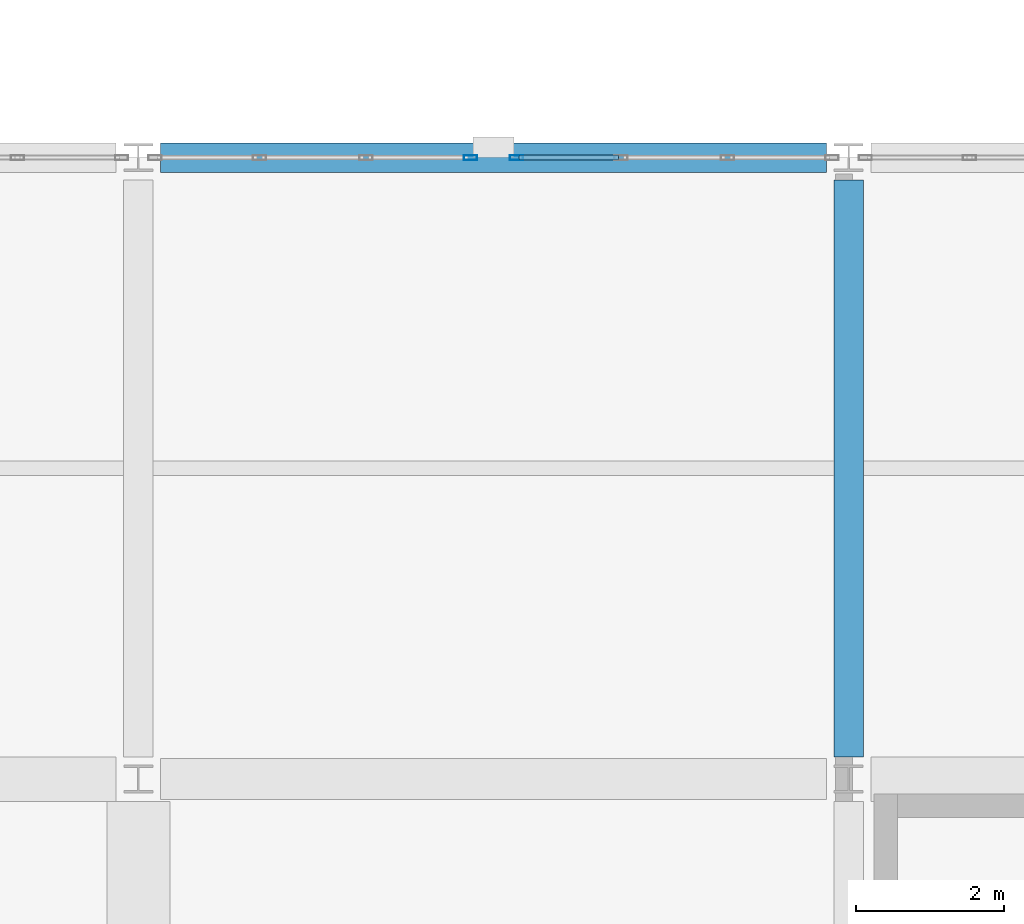
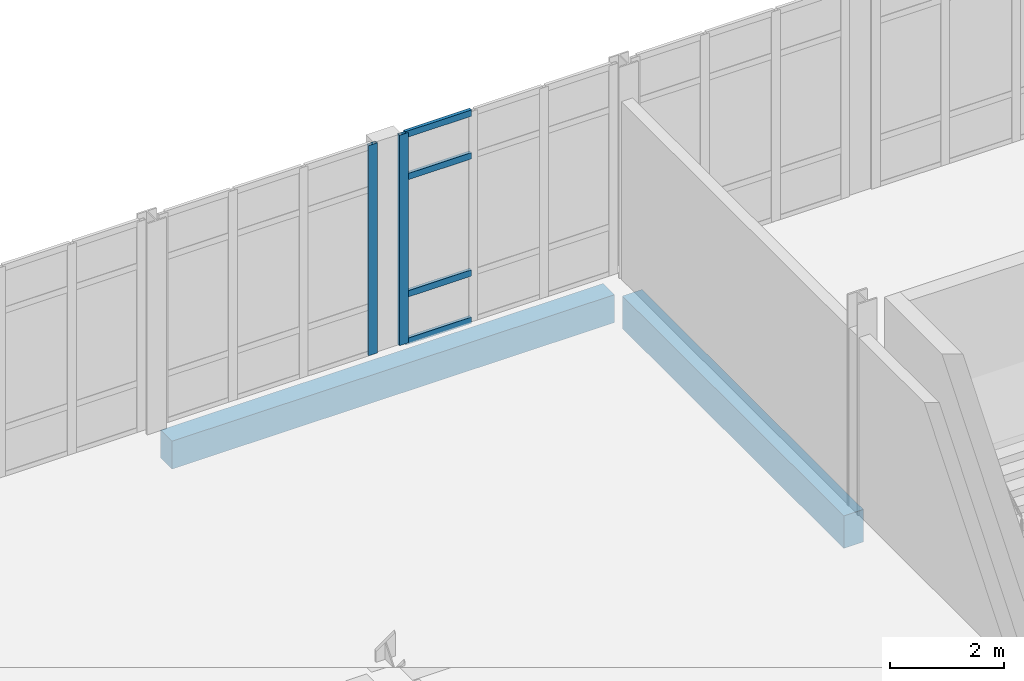
# One storey, part 19 of 102: 6 members, 2 beams, 2 elements without a shape of their own.
"""IFC4 building model written with IfcOpenShell, lengths in metres."""

from ifc_helpers import new_model, si_unit, direction, frame, origin, origin_2d, place, context, subcontext, project, spatial, rectangle, hollow_rectangle, extrude, material, layer, layer_set, material_profile, profile_set, type_object, element, aggregate, save


model = new_model("IFC4")

# Units and contexts
model_context = context("Model", 3, precision=1e-05, world=origin(), true_north=direction((0.0, 1.0)))
body_context = subcontext(model_context, "Body", "Model", "MODEL_VIEW")
ifc_project = project(units=[si_unit("LENGTHUNIT", "METRE"), si_unit("AREAUNIT", "SQUARE_METRE"), si_unit("VOLUMEUNIT", "CUBIC_METRE"), si_unit("PLANEANGLEUNIT", "RADIAN"), si_unit("MASSUNIT", "GRAM", prefix="KILO")], contexts=[model_context])

# Site, building, storey
site_placement = place(None, origin())
site = spatial("IfcSite", under=ifc_project, at=site_placement, CompositionType="ELEMENT")
building_placement = place(site_placement, origin())
building = spatial("IfcBuilding", under=site, at=building_placement, Name="Lornevale Opera House", CompositionType="ELEMENT")
storey_placement = place(building_placement, frame((0.0, 0.0, 5.39990234375)))
storey = spatial("IfcBuildingStorey", under=building, at=storey_placement, Name="L02", CompositionType="ELEMENT", Elevation=5.39990234375)

# Beams
ifc_material_1 = material(Name="Concrete 35 MPa (CSA A23.1 N)", Category="concrete")
ifc_material_profile_1 = material_profile(ifc_material_1, rectangle(XDim=0.39990234375, YDim=0.699951171875, at=origin_2d()), Name="RC400x700")
ifc_profile_set_1 = profile_set([ifc_material_profile_1], Name="Concrete 35 MPa (CSA A23.1 N)")
beam_type_1 = type_object("IfcBeamType", Name="Concrete Floor Beam 400x700", PredefinedType="USERDEFINED", material=ifc_profile_set_1)
beam_1_placement = place(storey_placement, frame((19.199951171875, 17.10009765625, -0.64990234375), z_axis=(0.0, 1.0, 0.0), x_axis=(-1.0, 0.0, 0.0)))
element("IfcBeam", 1, at=beam_1_placement, inside=storey, type_object=beam_type_1, Name="Concrete Floor Beam 400x700 1840", ObjectType="GIRDER", PredefinedType="USERDEFINED", context=body_context, shape_type="SweptSolid", body=[
    extrude(rectangle(XDim=0.39990234375, YDim=0.699951171875, at=origin_2d()), origin(), (0.0, 0.0, 1.0), 7.7998046875),
])
ifc_material_profile_2 = material_profile(ifc_material_1, rectangle(XDim=0.39990234375, YDim=0.60009765625, at=origin_2d()), Name="RC400x600")
ifc_profile_set_2 = profile_set([ifc_material_profile_2], Name="Concrete 35 MPa (CSA A23.1 N)")
beam_type_2 = type_object("IfcBeamType", Name="Concrete Spandrel Beam 400x600", PredefinedType="SPANDREL", material=ifc_profile_set_2)
beam_2_placement = place(storey_placement, frame((9.89990234375, 25.199951171875, -0.599853515625), z_axis=(1.0, 0.0, 0.0), x_axis=(0.0, 1.0, 0.0)))
element("IfcBeam", 2, at=beam_2_placement, inside=storey, type_object=beam_type_2, Name="Concrete Spandrel Beam 400x600 1696", PredefinedType="SPANDREL", context=body_context, shape_type="SweptSolid", body=[
    extrude(rectangle(XDim=0.39990234375, YDim=0.60009765625, at=origin_2d()), origin(), (0.0, 0.0, 1.0), 9.0),
])

# Curtain wall, member
ifc_material_2 = material(Name="Anodized Oxide-Green Aluminium Framing", Category="aluminium")
ifc_layer = layer(ifc_material_2, 0.175048828125)
ifc_layer_set = layer_set([ifc_layer], Name="Anodized Oxide-Green Aluminium Framing")
curtain_wall_type = type_object("IfcCurtainWallType", Name="Chamber Cloister Curtain Wall M1700", PredefinedType="NOTDEFINED", material=ifc_layer_set)
curtain_wall_1_placement = place(storey_placement, origin())
curtain_wall_1 = element("IfcCurtainWall", 3, at=curtain_wall_1_placement, inside=storey, type_object=curtain_wall_type, Name="Chamber Cloister Curtain Wall M1700 CW-031", PredefinedType="NOTDEFINED")
ifc_material_profile_3 = material_profile(ifc_material_2, hollow_rectangle(XDim=0.06494140625, YDim=0.179931640625, WallThickness=0.0048828125, at=origin_2d()), Name="ALU65x180x5")
ifc_profile_set_3 = profile_set([ifc_material_profile_3], Name="Anodized Oxide-Green Aluminium Framing")
member_type_1 = type_object("IfcMemberType", Name="Curtain Wall Mullion 65x180", PredefinedType="MULLION", material=ifc_profile_set_3)
member_1_placement = place(storey_placement, frame((14.08740234375, 25.199951171875, 0.0), z_axis=(0.0, 0.0, 1.0), x_axis=(0.0, 1.0, 0.0)))
member_1 = element("IfcMember", 4, at=member_1_placement, type_object=member_type_1, Name="Curtain Wall Mullion 65x180 CW0586", PredefinedType="MULLION", context=body_context, shape_type="SweptSolid", body=[
    extrude(hollow_rectangle(XDim=0.06494140625, YDim=0.179931640625, WallThickness=0.0048828125, at=origin_2d()), origin(), (0.0, 0.0, 1.0), 4.52001953125),
])
aggregate(curtain_wall_1, [member_1])

# Curtain wall, members
curtain_wall_2_placement = place(storey_placement, origin())
curtain_wall_2 = element("IfcCurtainWall", 5, at=curtain_wall_2_placement, inside=storey, type_object=curtain_wall_type, Name="Chamber Cloister Curtain Wall M1700 CW-032", PredefinedType="NOTDEFINED")
member_2_placement = place(storey_placement, frame((14.71240234375, 25.199951171875, 0.0), z_axis=(0.0, 0.0, 1.0), x_axis=(0.0, 1.0, 0.0)))
member_2 = element("IfcMember", 6, at=member_2_placement, type_object=member_type_1, Name="Curtain Wall Mullion 65x180 CW0608", PredefinedType="MULLION", context=body_context, shape_type="SweptSolid", body=[
    extrude(hollow_rectangle(XDim=0.06494140625, YDim=0.179931640625, WallThickness=0.0048828125, at=origin_2d()), origin(), (0.0, 0.0, 1.0), 4.52001953125),
])
ifc_material_profile_4 = material_profile(ifc_material_2, hollow_rectangle(XDim=0.06494140625, YDim=0.135009765625, WallThickness=0.00390625, at=origin_2d()), Name="ALU65x135x4")
ifc_profile_set_4 = profile_set([ifc_material_profile_4], Name="Anodized Oxide-Green Aluminium Framing")
member_type_2 = type_object("IfcMemberType", Name="Curtain Wall Transom 65x135", PredefinedType="USERDEFINED", material=ifc_profile_set_4)
member_3_placement = place(storey_placement, frame((14.7451171875, 25.199951171875, 0.03271484375), z_axis=(1.0, 0.0, 0.0), x_axis=(0.0, 1.0, 0.0)))
member_3 = element("IfcMember", 7, at=member_3_placement, type_object=member_type_2, Name="Curtain Wall Transom 65x135 CW0612", ObjectType="TRANSOM", PredefinedType="USERDEFINED", context=body_context, shape_type="SweptSolid", body=[
    extrude(hollow_rectangle(XDim=0.06494140625, YDim=0.135009765625, WallThickness=0.00390625, at=origin_2d()), origin(), (0.0, 0.0, 1.0), 1.3447265625),
])
member_4_placement = place(storey_placement, frame((14.7451171875, 25.199951171875, 1.050048828125), z_axis=(1.0, 0.0, 0.0), x_axis=(0.0, 1.0, 0.0)))
member_4 = element("IfcMember", 8, at=member_4_placement, type_object=member_type_2, Name="Curtain Wall Transom 65x135 CW0613", ObjectType="TRANSOM", PredefinedType="USERDEFINED", context=body_context, shape_type="SweptSolid", body=[
    extrude(hollow_rectangle(XDim=0.06494140625, YDim=0.135009765625, WallThickness=0.00390625, at=origin_2d()), origin(), (0.0, 0.0, 1.0), 1.3447265625),
])
member_5_placement = place(storey_placement, frame((14.7451171875, 25.199951171875, 3.570068359375), z_axis=(1.0, 0.0, 0.0), x_axis=(0.0, 1.0, 0.0)))
member_5 = element("IfcMember", 9, at=member_5_placement, type_object=member_type_2, Name="Curtain Wall Transom 65x135 CW0614", ObjectType="TRANSOM", PredefinedType="USERDEFINED", context=body_context, shape_type="SweptSolid", body=[
    extrude(hollow_rectangle(XDim=0.06494140625, YDim=0.135009765625, WallThickness=0.00390625, at=origin_2d()), origin(), (0.0, 0.0, 1.0), 1.3447265625),
])
member_6_placement = place(storey_placement, frame((14.7451171875, 25.199951171875, 4.487548828125), z_axis=(1.0, 0.0, 0.0), x_axis=(0.0, 1.0, 0.0)))
member_6 = element("IfcMember", 10, at=member_6_placement, type_object=member_type_2, Name="Curtain Wall Transom 65x135 CW0615", ObjectType="TRANSOM", PredefinedType="USERDEFINED", context=body_context, shape_type="SweptSolid", body=[
    extrude(hollow_rectangle(XDim=0.06494140625, YDim=0.135009765625, WallThickness=0.00390625, at=origin_2d()), origin(), (0.0, 0.0, 1.0), 1.3447265625),
])
aggregate(curtain_wall_2, [member_2, member_3, member_4, member_5, member_6])

save(model, "model.ifc")
